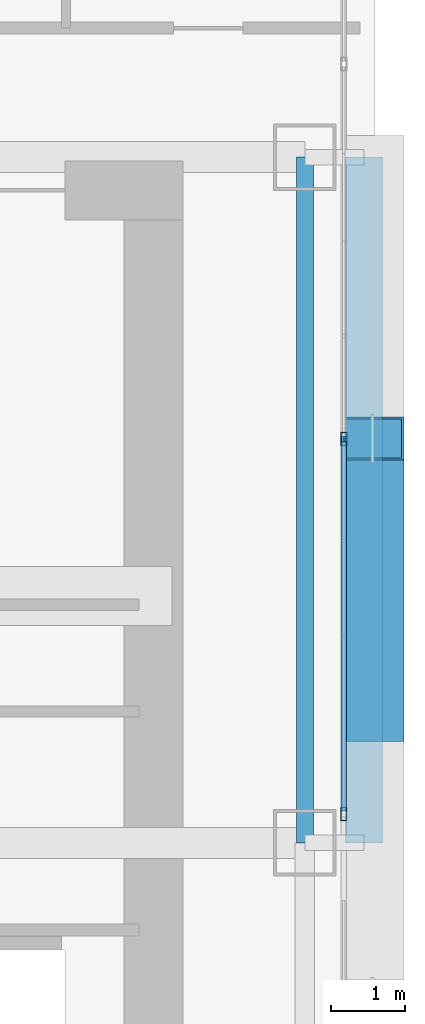
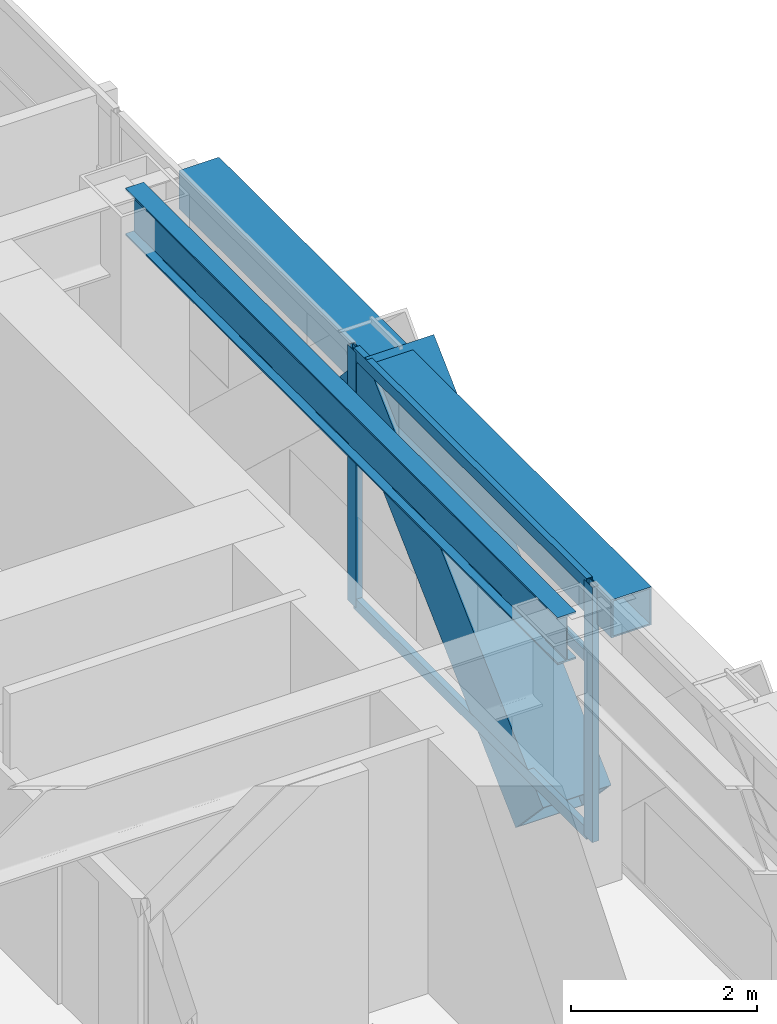
# One storey, part 15 of 35: 6 members, 2 beams, 1 element without a shape of its own.
"""IFC4 building model written with IfcOpenShell, lengths in metres."""

import ifcopenshell
import ifcopenshell.guid

model = None  # the IFC model being written
_history = None  # IfcOwnerHistory: only IFC2X3 demands one
_inside = {}  # id of a spatial element -> (the spatial element, [elements in it])
_under = {}  # id of a project, library or spatial element -> (it, [spatial elements below it])
_declared = {}  # id of a project -> (the project, [libraries it declares])
_typed = {}  # id of a type object -> (the type object, [elements of that type])
_made_of = {}  # id of a material, layer set ... -> (it, [elements and type objects made of it])


def new_model(schema):
    """Start an empty IFC model of exactly this schema.

    Asked for "IFC4X3", IfcOpenShell would pick the latest addendum, in which some entities
    have other attributes; the version numbers below select the first issue.
    IFC2X3 requires an IfcOwnerHistory on every rooted entity: one is made here for all.
    """
    global model, _history
    if schema == "IFC4X3":
        model = ifcopenshell.file(schema_version=(4, 3, 0, 0))
    else:
        model = ifcopenshell.file(schema=schema)
    _inside.clear()
    _under.clear()
    _declared.clear()
    _typed.clear()
    _made_of.clear()
    _history = None
    if model.schema == "IFC2X3":
        org = make("IfcOrganization", Name="unknown")
        user = make(
            "IfcPersonAndOrganization",
            ThePerson=make("IfcPerson", FamilyName="unknown"),
            TheOrganization=org,
        )
        app = make(
            "IfcApplication",
            ApplicationDeveloper=org,
            Version="unknown",
            ApplicationFullName="unknown",
            ApplicationIdentifier="unknown",
        )
        _history = make(
            "IfcOwnerHistory",
            OwningUser=user,
            OwningApplication=app,
            ChangeAction="ADDED",
            CreationDate=0,
        )
    return model


def make(cls, **values):
    """One entity of the class cls with the attributes given. An attribute that is None is left unset."""
    return model.create_entity(
        cls, **{name: value for name, value in values.items() if value is not None}
    )


def rooted(cls, **values):
    """An entity with a GlobalId (a new one), such as an element, a storey or a relation."""
    return make(cls, GlobalId=ifcopenshell.guid.new(), OwnerHistory=_history, **values)


def si_unit(unit_type, name, prefix=None):
    """IfcSIUnit, for example si_unit("LENGTHUNIT", "METRE", prefix="MILLI")."""
    return make("IfcSIUnit", UnitType=unit_type, Prefix=prefix, Name=name)


def assignment(units):
    """IfcUnitAssignment: the units of a project."""
    return None if units is None else make("IfcUnitAssignment", Units=units)


def point(xyz):
    """IfcCartesianPoint."""
    return None if xyz is None else make("IfcCartesianPoint", Coordinates=xyz)


def direction(xyz):
    """IfcDirection."""
    return None if xyz is None else make("IfcDirection", DirectionRatios=xyz)


def frame(location, z_axis=None, x_axis=None):
    """IfcAxis2Placement3D, a coordinate frame: its origin and axes. An axis left out is left unset."""
    return make(
        "IfcAxis2Placement3D",
        Location=point(location),
        Axis=direction(z_axis),
        RefDirection=direction(x_axis),
    )


def frame_2d(location, x_axis=None):
    """IfcAxis2Placement2D, a coordinate frame in the plane: its origin and x axis."""
    return make(
        "IfcAxis2Placement2D", Location=point(location), RefDirection=direction(x_axis)
    )


def origin():
    """The frame at (0, 0, 0) with its axes left unset."""
    return frame((0.0, 0.0, 0.0))


def origin_2d():
    """The frame at (0, 0) in the plane with its x axis left unset."""
    return frame_2d((0.0, 0.0))


def place(relative_to, where):
    """IfcLocalPlacement: puts the frame where relative to a parent placement (None: the world)."""
    return make(
        "IfcLocalPlacement", PlacementRelTo=relative_to, RelativePlacement=where
    )


def context(
    kind, dimensions, precision=None, world=None, true_north=None, identifier=None
):
    """IfcGeometricRepresentationContext, for example the 3D "Model" context."""
    return make(
        "IfcGeometricRepresentationContext",
        ContextIdentifier=identifier,
        ContextType=kind,
        CoordinateSpaceDimension=dimensions,
        Precision=precision,
        WorldCoordinateSystem=world,
        TrueNorth=true_north,
    )


def subcontext(parent, identifier, kind, view, scale=None):
    """IfcGeometricRepresentationSubContext, for example "Body" below "Model"."""
    return make(
        "IfcGeometricRepresentationSubContext",
        ContextIdentifier=identifier,
        ContextType=kind,
        ParentContext=parent,
        TargetScale=scale,
        TargetView=view,
    )


def project(units=None, contexts=None):
    """IfcProject with its units and contexts."""
    return rooted(
        "IfcProject",
        Name="project",
        RepresentationContexts=contexts,
        UnitsInContext=assignment(units),
    )


def spatial(cls, under=None, at=None, **own):
    """A site, building, storey or space (cls), placed at a placement, below another one or the project."""
    s = rooted(cls, ObjectPlacement=at, **own)
    if under is not None:
        _under.setdefault(under.id(), (under, []))[1].append(s)
    return s


def profile(cls, at=None, kind="AREA", **sizes):
    """A parametric profile (cls). Its sizes go by their IFC names, for example OverallWidth=200.0."""
    return make(cls, ProfileType=kind, Position=at, **sizes)


def hollow_rectangle(**sizes):
    """IfcRectangleHollowProfileDef."""
    return profile("IfcRectangleHollowProfileDef", **sizes)


def i_section(**sizes):
    """IfcIShapeProfileDef."""
    return profile("IfcIShapeProfileDef", **sizes)


def extrude(swept, where, along, depth):
    """IfcExtrudedAreaSolid: the profile swept, set in the frame where, extruded along a direction by depth."""
    return make(
        "IfcExtrudedAreaSolid",
        SweptArea=swept,
        Position=where,
        ExtrudedDirection=direction(along),
        Depth=depth,
    )


def shape(context_of_items, identifier, shape_type, items):
    """IfcShapeRepresentation: the items that make up one representation, for example the "Body"."""
    return make(
        "IfcShapeRepresentation",
        ContextOfItems=context_of_items,
        RepresentationIdentifier=identifier,
        RepresentationType=shape_type,
        Items=items,
    )


def source(mapping_origin, context_of_items, identifier, shape_type, items):
    """IfcRepresentationMap: a shape defined once, which mapped items show again and again."""
    return make(
        "IfcRepresentationMap",
        MappingOrigin=mapping_origin,
        MappedRepresentation=shape(context_of_items, identifier, shape_type, items),
    )


def transform(
    local_origin,
    x_axis=None,
    y_axis=None,
    z_axis=None,
    scale=None,
    scale2=None,
    scale3=None,
    uniform=True,
):
    """IfcCartesianTransformationOperator3D, or its non-uniform kind. x_axis, y_axis, z_axis: its Axis1, 2, 3."""
    if uniform:
        return make(
            "IfcCartesianTransformationOperator3D",
            Axis1=direction(x_axis),
            Axis2=direction(y_axis),
            LocalOrigin=point(local_origin),
            Scale=scale,
            Axis3=direction(z_axis),
        )
    return make(
        "IfcCartesianTransformationOperator3DnonUniform",
        Axis1=direction(x_axis),
        Axis2=direction(y_axis),
        LocalOrigin=point(local_origin),
        Scale=scale,
        Axis3=direction(z_axis),
        Scale2=scale2,
        Scale3=scale3,
    )


def mapped(mapping_source, mapping_target):
    """IfcMappedItem: shows the shape of a source again, moved by a transform."""
    return make(
        "IfcMappedItem", MappingSource=mapping_source, MappingTarget=mapping_target
    )


def material(Name=None, Category=None):
    """IfcMaterial."""
    return make("IfcMaterial", Name=Name, Category=Category)


def layer(
    of_material, thickness, ventilated=None, Name=None, Category=None, Priority=None
):
    """IfcMaterialLayer: one layer of a wall or slab, of a material (None: an air gap)."""
    return make(
        "IfcMaterialLayer",
        Material=of_material,
        LayerThickness=thickness,
        IsVentilated=ventilated,
        Name=Name,
        Category=Category,
        Priority=Priority,
    )


def layer_set(layers, Name=None):
    """IfcMaterialLayerSet."""
    return make("IfcMaterialLayerSet", MaterialLayers=layers, LayerSetName=Name)


def material_profile(
    of_material, cross_section, Name=None, Category=None, Priority=None
):
    """IfcMaterialProfile: a cross section and its material."""
    return make(
        "IfcMaterialProfile",
        Name=Name,
        Material=of_material,
        Profile=cross_section,
        Priority=Priority,
        Category=Category,
    )


def profile_set(profiles, Name=None, composite=None):
    """IfcMaterialProfileSet."""
    return make(
        "IfcMaterialProfileSet",
        Name=Name,
        MaterialProfiles=profiles,
        CompositeProfile=composite,
    )


def made_of(thing, what):
    """Note that an element or type object is made of a material, layer set ...; save() writes the relation."""
    if what is not None:
        _made_of.setdefault(what.id(), (what, []))[1].append(thing)
    return thing


def type_object(cls, material=None, **own):
    """A type object (cls), such as IfcWallType, which elements share."""
    return made_of(rooted(cls, **own), material)


def element(
    cls,
    number,
    at=None,
    inside=None,
    cuts=None,
    type_object=None,
    material=None,
    context=None,
    identifier="Body",
    shape_type=None,
    held_by="IfcProductDefinitionShape",
    body=None,
    shapes=None,
    **own,
):
    """One element of the class cls, such as IfcWall. Its Tag is "e" and its number.

    at: its placement. inside: the storey or other place that contains it. cuts: it is an
    opening in that element (IfcRelVoidsElement). A single representation is given by context,
    identifier, shape_type and body (its items); several are given by shapes. held_by: the class
    of the entity that holds the representations. save() writes the other relations.
    """
    e = rooted(cls, Tag="e%d" % number, ObjectPlacement=at, **own)
    if body is not None:
        shapes = [shape(context, identifier, shape_type, body)]
    if shapes is not None:
        e.Representation = make(held_by, Representations=shapes)
    if inside is not None:
        _inside.setdefault(inside.id(), (inside, []))[1].append(e)
    if cuts is not None:
        rooted(
            "IfcRelVoidsElement", RelatingBuildingElement=cuts, RelatedOpeningElement=e
        )
    if type_object is not None:
        _typed.setdefault(type_object.id(), (type_object, []))[1].append(e)
    return made_of(e, material)


def aggregate(whole, parts):
    """IfcRelAggregates: a whole, such as a stair, and the parts it consists of."""
    return rooted("IfcRelAggregates", RelatingObject=whole, RelatedObjects=parts)


def save(model, path):
    """Write the relations noted so far, then the file.

    IfcRelAggregates (storeys below a building ...), IfcRelContainedInSpatialStructure (elements
    in a storey), IfcRelDefinesByType, IfcRelAssociatesMaterial and IfcRelDeclares: one each for
    every whole, place, type object, material and project.
    """
    for whole, parts in _under.values():
        aggregate(whole, parts)
    for where, things in _inside.values():
        rooted(
            "IfcRelContainedInSpatialStructure",
            RelatedElements=things,
            RelatingStructure=where,
        )
    for kind, things in _typed.values():
        rooted("IfcRelDefinesByType", RelatedObjects=things, RelatingType=kind)
    for what, things in _made_of.values():
        rooted("IfcRelAssociatesMaterial", RelatedObjects=things, RelatingMaterial=what)
    for by, libraries in _declared.values():
        rooted("IfcRelDeclares", RelatingContext=by, RelatedDefinitions=libraries)
    model.write(path)


model = new_model("IFC4")

# Units and contexts
model_context = context("Model", 3, precision=1e-05, world=origin(), true_north=direction((0.0, 1.0)))
body_context = subcontext(model_context, "Body", "Model", "MODEL_VIEW")
ifc_project = project(units=[si_unit("LENGTHUNIT", "METRE"), si_unit("AREAUNIT", "SQUARE_METRE"), si_unit("VOLUMEUNIT", "CUBIC_METRE"), si_unit("PLANEANGLEUNIT", "RADIAN"), si_unit("MASSUNIT", "GRAM", prefix="KILO")], contexts=[model_context])

# Site, building, storey
site_placement = place(None, origin())
site = spatial("IfcSite", under=ifc_project, at=site_placement, CompositionType="ELEMENT")
building_placement = place(site_placement, origin())
building = spatial("IfcBuilding", under=site, at=building_placement, Name="Ocotamira Hotel", CompositionType="ELEMENT")
storey_placement = place(building_placement, frame((0.0, 0.0, 63.60009765625)))
storey = spatial("IfcBuildingStorey", under=building, at=storey_placement, Name="L15", CompositionType="ELEMENT", Elevation=63.60009765625)

# Beams
ifc_material_1 = material(Name="Steel ASTM A992 Grade 50", Category="steel")
ifc_material_profile_1 = material_profile(ifc_material_1, i_section(OverallWidth=0.22998046875, OverallDepth=0.616943359375, WebThickness=0.01318359375, FlangeThickness=0.022216796875, FilletRadius=0.012939453125, at=origin_2d()), Name="W24X94")
ifc_profile_set_1 = profile_set([ifc_material_profile_1], Name="Steel ASTM A992 Grade 50")
beam_type_1 = type_object("IfcBeamType", Name="BM-PRIM-W24X94", PredefinedType="BEAM", material=ifc_profile_set_1)
shared_shape_1 = source(origin(), body_context, "Body", "SweptSolid", [
    extrude(i_section(OverallWidth=0.22998046875, OverallDepth=0.616943359375, WebThickness=0.01318359375, FlangeThickness=0.022216796875, FilletRadius=0.012939453125, at=origin_2d()), origin(), (0.0, 0.0, 1.0), 9.300048828125),
])
beam_1_placement = place(storey_placement, frame((55.050048828125, 28.14990234375, 3.04150390625), z_axis=(0.0, 1.0, 0.0), x_axis=(-1.0, 0.0, 0.0)))
element("IfcBeam", 1, at=beam_1_placement, inside=storey, type_object=beam_type_1, Name="L15 Beam X55.05 Y28.15-37.45", PredefinedType="BEAM", context=body_context, shape_type="MappedRepresentation", body=[
    mapped(shared_shape_1, transform((0.0, 0.0, 0.0), scale=1.0)),
])
ifc_material_2 = material(Name="Steel ASTM A500 Grade C", Category="steel")
ifc_material_profile_2 = material_profile(ifc_material_2, hollow_rectangle(XDim=0.5, YDim=0.5, WallThickness=0.02001953125, at=origin_2d()), Name="HSS500X500X20")
ifc_profile_set_2 = profile_set([ifc_material_profile_2], Name="Steel ASTM A500 Grade C")
beam_type_2 = type_object("IfcBeamType", Name="BM-SPAN-HSS500", PredefinedType="USERDEFINED", material=ifc_profile_set_2)
shared_shape_2 = source(origin(), body_context, "Body", "SweptSolid", [
    extrude(hollow_rectangle(XDim=0.5, YDim=0.5, WallThickness=0.02001953125, at=origin_2d()), origin(), (0.0, 0.0, 1.0), 9.300048828125),
])
beam_2_placement = place(storey_placement, frame((55.85009765625, 28.14990234375, 3.099853515625), z_axis=(0.0, 1.0, 0.0), x_axis=(-1.0, 0.0, 0.0)))
element("IfcBeam", 2, at=beam_2_placement, inside=storey, type_object=beam_type_2, Name="L15 Edge Spandrel E Y28.15-37.45", ObjectType="SPANDREL", PredefinedType="USERDEFINED", context=body_context, shape_type="MappedRepresentation", body=[
    mapped(shared_shape_2, transform((0.0, 0.0, 0.0), scale=1.0)),
])

# Member
ifc_material_3 = material(Name="Pale-metal coated steel ASTM A913 Grade 65", Category="steel")
ifc_material_profile_3 = material_profile(ifc_material_3, hollow_rectangle(XDim=0.85009765625, YDim=0.85009765625, WallThickness=0.035888671875, at=origin_2d()), Name="BOX850X850X36")
ifc_profile_set_3 = profile_set([ifc_material_profile_3], Name="Pale-metal coated steel ASTM A913 Grade 65")
member_type_1 = type_object("IfcMemberType", Name="MEM-EXO-BOX850", PredefinedType="BRACE", material=ifc_profile_set_3)
shared_shape_3 = source(origin(), body_context, "Body", "SweptSolid", [
    extrude(hollow_rectangle(XDim=0.85009765625, YDim=0.85009765625, WallThickness=0.035888671875, at=origin_2d()), origin(), (0.0, 0.0, 1.0), 5.24658203125),
])
member_1_placement = place(storey_placement, frame((55.969970703125, 29.816650390625, -0.5), z_axis=(0.0, 0.72746596067, 0.686143772154), x_axis=(-1.0, 0.0, 0.0)))
element("IfcMember", 3, at=member_1_placement, inside=storey, type_object=member_type_1, Name="L15 Exoskeleton Diagrid E2.1", PredefinedType="BRACE", context=body_context, shape_type="MappedRepresentation", body=[
    mapped(shared_shape_3, transform((0.0, 0.0, 0.0), scale=1.0)),
])

# Curtain wall, members
ifc_material_4 = material(Name="Anodised pale-metal aluminium and solar glass", Category="aluminium")
ifc_layer = layer(ifc_material_4, 0.179931640625)
ifc_layer_set = layer_set([ifc_layer], Name="Anodised pale-metal aluminium and solar glass")
curtain_wall_type = type_object("IfcCurtainWallType", Name="CW-SYS2-Z1", PredefinedType="NOTDEFINED", material=ifc_layer_set)
curtain_wall_placement = place(storey_placement, origin())
curtain_wall = element("IfcCurtainWall", 4, at=curtain_wall_placement, inside=storey, type_object=curtain_wall_type, Name="L15 Curtain Wall CW-2 CW-L15-E", PredefinedType="NOTDEFINED")
ifc_material_5 = material(Name="Anodised pale-metal aluminium 6063-T6", Category="aluminium")
ifc_material_profile_4 = material_profile(ifc_material_5, hollow_rectangle(XDim=0.080078125, YDim=0.179931640625, WallThickness=0.006103515625, at=origin_2d()), Name="HSS180X80X6")
ifc_profile_set_4 = profile_set([ifc_material_profile_4], Name="Anodised pale-metal aluminium 6063-T6")
member_type_2 = type_object("IfcMemberType", Name="CWM-180X75", PredefinedType="MULLION", material=ifc_profile_set_4)
shared_shape_4 = source(origin(), body_context, "Body", "SweptSolid", [
    extrude(hollow_rectangle(XDim=0.080078125, YDim=0.179931640625, WallThickness=0.006103515625, at=origin_2d()), origin(), (0.0, 0.0, 1.0), 3.349853515625),
])
member_2_placement = place(storey_placement, frame((55.580078125, 28.54296875, 0.0), z_axis=(0.0, 0.0, 1.0), x_axis=(-1.0, 0.0, 0.0)))
member_2 = element("IfcMember", 5, at=member_2_placement, type_object=member_type_2, Name="CW-2 mullion 5", PredefinedType="MULLION", context=body_context, shape_type="MappedRepresentation", body=[
    mapped(shared_shape_4, transform((0.0, 0.0, 0.0), scale=1.0)),
])
member_3_placement = place(storey_placement, frame((55.580078125, 33.628662109375, 0.0), z_axis=(0.0, 0.0, 1.0), x_axis=(-1.0, 0.0, 0.0)))
member_3 = element("IfcMember", 6, at=member_3_placement, type_object=member_type_2, Name="CW-2 mullion 6", PredefinedType="MULLION", context=body_context, shape_type="MappedRepresentation", body=[
    mapped(shared_shape_4, transform((0.0, 0.0, 0.0), scale=1.0)),
])
ifc_material_profile_5 = material_profile(ifc_material_5, hollow_rectangle(XDim=0.074951171875, YDim=0.14990234375, WallThickness=0.006103515625, at=origin_2d()), Name="HSS150X75X6")
ifc_profile_set_5 = profile_set([ifc_material_profile_5], Name="Anodised pale-metal aluminium 6063-T6")
member_type_3 = type_object("IfcMemberType", Name="CWT-150X75", PredefinedType="USERDEFINED", material=ifc_profile_set_5)
shared_shape_5 = source(origin(), body_context, "Body", "SweptSolid", [
    extrude(hollow_rectangle(XDim=0.074951171875, YDim=0.14990234375, WallThickness=0.006103515625, at=origin_2d()), origin(), (0.0, 0.0, 1.0), 5.005859375),
])
member_4_placement = place(storey_placement, frame((55.580078125, 28.582763671875, 0.037353515625), z_axis=(0.0, 1.0, 0.0), x_axis=(-1.0, 0.0, 0.0)))
member_4 = element("IfcMember", 7, at=member_4_placement, type_object=member_type_3, Name="CW-2 transom 5.1", ObjectType="TRANSOM", PredefinedType="USERDEFINED", context=body_context, shape_type="MappedRepresentation", body=[
    mapped(shared_shape_5, transform((0.0, 0.0, 0.0), scale=1.0)),
])
member_5_placement = place(storey_placement, frame((55.580078125, 28.582763671875, 2.349853515625), z_axis=(0.0, 1.0, 0.0), x_axis=(-1.0, 0.0, 0.0)))
member_5 = element("IfcMember", 8, at=member_5_placement, type_object=member_type_3, Name="CW-2 transom 5.2", ObjectType="TRANSOM", PredefinedType="USERDEFINED", context=body_context, shape_type="MappedRepresentation", body=[
    mapped(shared_shape_5, transform((0.0, 0.0, 0.0), scale=1.0)),
])
member_6_placement = place(storey_placement, frame((55.580078125, 28.582763671875, 3.3125), z_axis=(0.0, 1.0, 0.0), x_axis=(-1.0, 0.0, 0.0)))
member_6 = element("IfcMember", 9, at=member_6_placement, type_object=member_type_3, Name="CW-2 transom 5.3", ObjectType="TRANSOM", PredefinedType="USERDEFINED", context=body_context, shape_type="MappedRepresentation", body=[
    mapped(shared_shape_5, transform((0.0, 0.0, 0.0), scale=1.0)),
])
aggregate(curtain_wall, [member_2, member_3, member_4, member_5, member_6])

save(model, "model.ifc")
